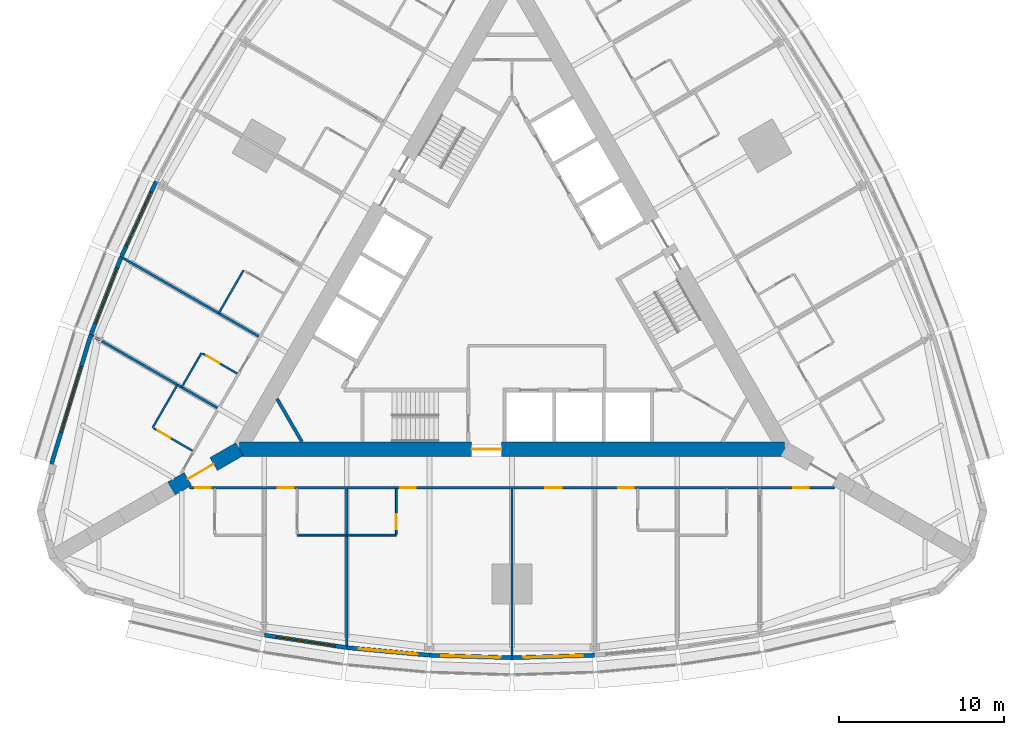
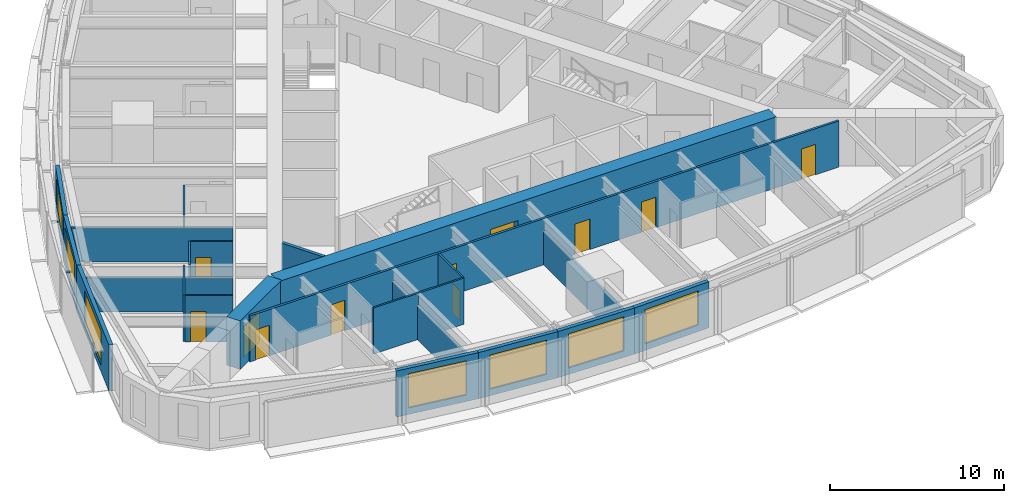
# One storey, part 8 of 14: 23 walls, 11 doors, 7 windows, 18 openings.
"""IFC4 building model written with IfcOpenShell, lengths in metres."""

from ifc_helpers import new_model, si_unit, direction, frame, frame_2d, origin, place, context, subcontext, project, spatial, rectangle, extrude, material, layer, layer_set, type_object, element, fill, save


model = new_model("IFC4")

# Units and contexts
model_context = context("Model", 3, precision=1e-05, world=origin(), true_north=direction((0.0, 1.0)))
body_context = subcontext(model_context, "Body", "Model", "MODEL_VIEW")
ifc_project = project(units=[si_unit("LENGTHUNIT", "METRE"), si_unit("AREAUNIT", "SQUARE_METRE"), si_unit("VOLUMEUNIT", "CUBIC_METRE"), si_unit("PLANEANGLEUNIT", "RADIAN"), si_unit("MASSUNIT", "GRAM", prefix="KILO")], contexts=[model_context])

# Site, building, storey
site_placement = place(None, origin())
site = spatial("IfcSite", under=ifc_project, at=site_placement, CompositionType="ELEMENT")
building_placement = place(site_placement, origin())
building = spatial("IfcBuilding", under=site, at=building_placement, Name="Trikona Tower", CompositionType="ELEMENT")
storey_placement = place(building_placement, frame((0.0, 0.0, 42.10009765625)))
storey = spatial("IfcBuildingStorey", under=building, at=storey_placement, Name="L09", CompositionType="ELEMENT", Elevation=42.10009765625)

# Walls
ifc_material_1 = material(Name="Metal stud and cement board", Category="gypsum")
ifc_layer_1 = layer(ifc_material_1, 0.1201171875)
ifc_layer_set_1 = layer_set([ifc_layer_1], Name="Bathroom wall 120")
wall_type_1 = type_object("IfcWallType", Name="Bathroom wall 120", PredefinedType="PLUMBINGWALL", material=ifc_layer_set_1)
for number, where, z_axis, x_axis, name in (
    (1, (-13.0, -14.726318359375, 0.0), (0.0, 0.0, 1.0), (1.0, 0.0, 0.0), "Bathroom wall 0902"),
    (2, (-10.0, -14.726318359375, 0.0), (0.0, 0.0, 1.0), (1.0, 0.0, 0.0), "Bathroom wall 0903"),
):
    element("IfcWall", number, at=place(storey_placement, frame(where, z_axis=z_axis, x_axis=x_axis)), inside=storey, type_object=wall_type_1, Name=name, PredefinedType="PLUMBINGWALL", context=body_context, shape_type="SweptSolid", body=[
        extrude(rectangle(XDim=3.0, YDim=0.1201171875, at=frame_2d((1.5, 0.0))), origin(), (0.0, 0.0, 1.0), 3.23486328125),
    ])

# Wall, opening, door
wall_1_placement = place(storey_placement, frame((-7.0, -11.92626953125, 0.0), z_axis=(0.0, 0.0, 1.0), x_axis=(0.0, -1.0, 0.0)))
wall_1 = element("IfcWall", 3, at=wall_1_placement, inside=storey, type_object=wall_type_1, Name="Bathroom wall 0903", PredefinedType="PLUMBINGWALL", context=body_context, shape_type="SweptSolid", body=[
    extrude(rectangle(XDim=2.739990234375, YDim=0.1201171875, at=frame_2d((1.3701171875, 0.0))), origin(), (0.0, 0.0, 1.0), 3.23486328125),
])
opening_1_placement = place(wall_1_placement, frame((1.550048828125, 0.0, 0.0)))
opening_1 = element("IfcOpeningElement", 4, at=opening_1_placement, cuts=wall_1, Name="Opening D2", PredefinedType="OPENING", context=body_context, shape_type="SweptSolid", body=[
    extrude(rectangle(XDim=0.89990234375, YDim=2.1298828125, at=frame_2d((0.449951171875, 1.06494140625))), frame((0.0, 0.070068359375, 0.0), z_axis=(0.0, -1.0, 0.0), x_axis=(1.0, 0.0, 0.0)), (0.0, 0.0, 1.0), 0.14013671875),
])
ifc_material_2 = material(Name="Steel door frame with solid-core timber leaf", Category="steel")
door_type_1 = type_object("IfcDoorType", Name="Bathroom door 900x2130", OperationType="SLIDING_TO_LEFT", PredefinedType="DOOR", material=ifc_material_2)
door_1_placement = place(opening_1_placement, origin())
door_1 = element("IfcDoor", 5, at=door_1_placement, inside=storey, type_object=door_type_1, Name="Bathroom door 0903", OperationType="SLIDING_TO_LEFT", OverallHeight=2.1298828125, OverallWidth=0.89990234375, PredefinedType="DOOR", context=body_context, shape_type="SweptSolid", body=[
    extrude(rectangle(XDim=0.89990234375, YDim=2.1298828125, at=frame_2d((0.449951171875, 1.06494140625))), frame((0.0, 0.02490234375, 0.0), z_axis=(0.0, -1.0, 0.0), x_axis=(1.0, 0.0, 0.0)), (0.0, 0.0, 1.0), 0.050048828125),
])
fill(opening_1, door_1)

# Walls
wall_2_placement = place(storey_placement, frame((-16.25341796875, 1.301025390625, 0.0), z_axis=(0.0, 0.0, 1.0), x_axis=(-0.499990139034, -0.866031096941, 0.0)))
element("IfcWall", 6, at=wall_2_placement, inside=storey, type_object=wall_type_1, Name="Bathroom wall 0916.1", PredefinedType="PLUMBINGWALL", context=body_context, shape_type="SweptSolid", body=[
    extrude(rectangle(XDim=3.0, YDim=0.1201171875, at=frame_2d((1.5, 0.0))), origin(), (0.0, 0.0, 1.0), 3.23486328125),
])
wall_3_placement = place(storey_placement, frame((-18.79345703125, -3.69873046875, 0.0), z_axis=(0.0, 0.0, 1.0), x_axis=(-0.500001309137, -0.866024647952, 0.0)))
element("IfcWall", 7, at=wall_3_placement, inside=storey, type_object=wall_type_1, Name="Bathroom wall 0917", PredefinedType="PLUMBINGWALL", context=body_context, shape_type="SweptSolid", body=[
    extrude(rectangle(XDim=2.39990234375, YDim=0.1201171875, at=frame_2d((1.199951171875, 0.0))), origin(), (0.0, 0.0, 1.0), 3.23486328125),
])

# Wall, opening, door
wall_4_placement = place(storey_placement, frame((-16.62841796875, -4.94873046875, 0.0), z_axis=(0.0, 0.0, 1.0), x_axis=(-0.866048967903, 0.499959183527, 0.0)))
wall_4 = element("IfcWall", 8, at=wall_4_placement, inside=storey, type_object=wall_type_1, Name="Bathroom wall 0917", PredefinedType="PLUMBINGWALL", context=body_context, shape_type="SweptSolid", body=[
    extrude(rectangle(XDim=2.440185546875, YDim=0.1201171875, at=frame_2d((1.22021484375, 0.0))), origin(), (0.0, 0.0, 1.0), 3.23486328125),
])
opening_2_placement = place(wall_4_placement, frame((1.25, 0.0, 0.0)))
opening_2 = element("IfcOpeningElement", 9, at=opening_2_placement, cuts=wall_4, Name="Opening D2", PredefinedType="OPENING", context=body_context, shape_type="SweptSolid", body=[
    extrude(rectangle(XDim=0.89990234375, YDim=2.1298828125, at=frame_2d((0.449951171875, 1.06494140625))), frame((0.0, 0.070068359375, 0.0), z_axis=(0.0, -1.0, 0.0), x_axis=(1.0, 0.0, 0.0)), (0.0, 0.0, 1.0), 0.14013671875),
])
door_2_placement = place(opening_2_placement, origin())
door_2 = element("IfcDoor", 10, at=door_2_placement, inside=storey, type_object=door_type_1, Name="Bathroom door 0917", OperationType="SLIDING_TO_LEFT", OverallHeight=2.1298828125, OverallWidth=0.89990234375, PredefinedType="DOOR", context=body_context, shape_type="SweptSolid", body=[
    extrude(rectangle(XDim=0.89990234375, YDim=2.1298828125, at=frame_2d((0.449951171875, 1.06494140625))), frame((0.0, 0.02490234375, 0.0), z_axis=(0.0, -1.0, 0.0), x_axis=(1.0, 0.0, 0.0)), (0.0, 0.0, 1.0), 0.050048828125),
])
fill(opening_2, door_2)

# Wall
wall_5_placement = place(storey_placement, frame((-20.25341796875, -5.627197265625, 0.0), z_axis=(0.0, 0.0, 1.0), x_axis=(-0.499990139034, -0.866031096941, 0.0)))
element("IfcWall", 11, at=wall_5_placement, inside=storey, type_object=wall_type_1, Name="Bathroom wall 0918", PredefinedType="PLUMBINGWALL", context=body_context, shape_type="SweptSolid", body=[
    extrude(rectangle(XDim=3.0, YDim=0.1201171875, at=frame_2d((1.5, 0.0))), origin(), (0.0, 0.0, 1.0), 3.23486328125),
])

# Wall, opening, door
wall_6_placement = place(storey_placement, frame((-19.32861328125, -9.625244140625, 0.0), z_axis=(0.0, 0.0, 1.0), x_axis=(-0.866035715982, 0.499982138324, 0.0)))
wall_6 = element("IfcWall", 12, at=wall_6_placement, inside=storey, type_object=wall_type_1, Name="Bathroom wall 0918", PredefinedType="PLUMBINGWALL", context=body_context, shape_type="SweptSolid", body=[
    extrude(rectangle(XDim=2.73974609375, YDim=0.1201171875, at=frame_2d((1.369873046875, 0.0))), origin(), (0.0, 0.0, 1.0), 3.23486328125),
])
opening_3_placement = place(wall_6_placement, frame((1.550048828125, 0.0, 0.0)))
opening_3 = element("IfcOpeningElement", 13, at=opening_3_placement, cuts=wall_6, Name="Opening D2", PredefinedType="OPENING", context=body_context, shape_type="SweptSolid", body=[
    extrude(rectangle(XDim=0.89990234375, YDim=2.1298828125, at=frame_2d((0.449951171875, 1.06494140625))), frame((0.0, 0.070068359375, 0.0), z_axis=(0.0, -1.0, 0.0), x_axis=(1.0, 0.0, 0.0)), (0.0, 0.0, 1.0), 0.14013671875),
])
door_3_placement = place(opening_3_placement, origin())
door_3 = element("IfcDoor", 14, at=door_3_placement, inside=storey, type_object=door_type_1, Name="Bathroom door 0918", OperationType="SLIDING_TO_LEFT", OverallHeight=2.1298828125, OverallWidth=0.89990234375, PredefinedType="DOOR", context=body_context, shape_type="SweptSolid", body=[
    extrude(rectangle(XDim=0.89990234375, YDim=2.1298828125, at=frame_2d((0.449951171875, 1.06494140625))), frame((0.0, 0.02490234375, 0.0), z_axis=(0.0, -1.0, 0.0), x_axis=(1.0, 0.0, 0.0)), (0.0, 0.0, 1.0), 0.050048828125),
])
fill(opening_3, door_3)

ifc_material_3 = material(Name="Concrete f'c 10000 psi", Category="concrete")
ifc_layer_2 = layer(ifc_material_3, 0.89990234375)
ifc_layer_set_2 = layer_set([ifc_layer_2], Name="Buttress wall 900")
wall_type_2 = type_object("IfcWallType", Name="Buttress wall 900", PredefinedType="SHEAR", material=ifc_layer_set_2)
wall_7_placement = place(storey_placement, frame((-16.5, -9.5263671875, 0.0), z_axis=(0.0, 0.0, 1.0), x_axis=(-0.866031398331, -0.499989616998, 0.0)))
wall_7 = element("IfcWall", 15, at=wall_7_placement, inside=storey, type_object=wall_type_2, Name="Buttress wall 3", PredefinedType="SHEAR", context=body_context, shape_type="SweptSolid", body=[
    extrude(rectangle(XDim=4.74609375, YDim=0.89990234375, at=frame_2d((2.373046875, 0.0))), origin(), (0.0, 0.0, 1.0), 3.39990234375),
])
opening_4_placement = place(wall_7_placement, frame((1.800048828125, 0.0, 0.0)))
opening_4 = element("IfcOpeningElement", 16, at=opening_4_placement, cuts=wall_7, Name="Opening D10", PredefinedType="OPENING", context=body_context, shape_type="SweptSolid", body=[
    extrude(rectangle(XDim=1.800048828125, YDim=2.1298828125, at=frame_2d((0.89990234375, 1.06494140625))), frame((0.0, 0.4599609375, 0.0), z_axis=(0.0, -1.0, 0.0), x_axis=(1.0, 0.0, 0.0)), (0.0, 0.0, 1.0), 0.919921875),
])
ifc_material_4 = material(Name="Hollow metal door and frame", Category="steel")
door_type_2 = type_object("IfcDoorType", Name="Cross-corridor door pair 1800x2130", OperationType="DOUBLE_DOOR_DOUBLE_SWING", PredefinedType="DOOR", material=ifc_material_4)
door_4_placement = place(opening_4_placement, origin())
door_4 = element("IfcDoor", 17, at=door_4_placement, inside=storey, type_object=door_type_2, Name="Cross-corridor door 3", OperationType="DOUBLE_DOOR_DOUBLE_SWING", OverallHeight=2.1298828125, OverallWidth=1.800048828125, PredefinedType="DOOR", context=body_context, shape_type="SweptSolid", body=[
    extrude(rectangle(XDim=1.800048828125, YDim=2.1298828125, at=frame_2d((0.89990234375, 1.06494140625))), frame((0.0, 0.02490234375, 0.0), z_axis=(0.0, -1.0, 0.0), x_axis=(1.0, 0.0, 0.0)), (0.0, 0.0, 1.0), 0.050048828125),
])
fill(opening_4, door_4)

ifc_material_5 = material(Name="Concrete f'c 10000 psi", Category="concrete")
ifc_layer_3 = layer(ifc_material_5, 0.89990234375)
ifc_layer_set_3 = layer_set([ifc_layer_3], Name="Core wall 900")
wall_type_3 = type_object("IfcWallType", Name="Core wall 900", PredefinedType="SHEAR", material=ifc_layer_set_3)
wall_8_placement = place(storey_placement, frame((-16.5, -9.5263671875, 0.0), z_axis=(0.0, 0.0, 1.0), x_axis=(1.0, 0.0, 0.0)))
wall_8 = element("IfcWall", 18, at=wall_8_placement, inside=storey, type_object=wall_type_3, Name="Core wall A", PredefinedType="SHEAR", context=body_context, shape_type="SweptSolid", body=[
    extrude(rectangle(XDim=33.0, YDim=0.89990234375, at=frame_2d((16.5, 0.0))), origin(), (0.0, 0.0, 1.0), 3.39990234375),
])
opening_5_placement = place(wall_8_placement, frame((14.050048828125, 0.0, 0.0)))
opening_5 = element("IfcOpeningElement", 19, at=opening_5_placement, cuts=wall_8, Name="Opening D6", PredefinedType="OPENING", context=body_context, shape_type="SweptSolid", body=[
    extrude(rectangle(XDim=1.800048828125, YDim=2.1298828125, at=frame_2d((0.89990234375, 1.06494140625))), frame((0.0, 0.4599609375, 0.0), z_axis=(0.0, -1.0, 0.0), x_axis=(1.0, 0.0, 0.0)), (0.0, 0.0, 1.0), 0.919921875),
])
ifc_material_6 = material(Name="Hollow metal door and frame", Category="steel")
door_type_3 = type_object("IfcDoorType", Name="Lobby door pair 1800x2130", OperationType="DOUBLE_DOOR_SINGLE_SWING", PredefinedType="DOOR", material=ifc_material_6)
door_5_placement = place(opening_5_placement, origin())
door_5 = element("IfcDoor", 20, at=door_5_placement, inside=storey, type_object=door_type_3, Name="Fire service lift lobby door", OperationType="DOUBLE_DOOR_SINGLE_SWING", OverallHeight=2.1298828125, OverallWidth=1.800048828125, PredefinedType="DOOR", context=body_context, shape_type="SweptSolid", body=[
    extrude(rectangle(XDim=1.800048828125, YDim=2.1298828125, at=frame_2d((0.89990234375, 1.06494140625))), frame((0.0, 0.02490234375, 0.0), z_axis=(0.0, -1.0, 0.0), x_axis=(1.0, 0.0, 0.0)), (0.0, 0.0, 1.0), 0.050048828125),
])
fill(opening_5, door_5)

# Wall, openings, doors
ifc_material_7 = material(Name="Metal stud and gypsum board, 1-hour", Category="gypsum")
ifc_layer_4 = layer(ifc_material_7, 0.14990234375)
ifc_layer_set_4 = layer_set([ifc_layer_4], Name="Corridor wall 150")
wall_type_4 = type_object("IfcWallType", Name="Corridor wall 150", PredefinedType="PARTITIONING", material=ifc_layer_set_4)
wall_9_placement = place(storey_placement, frame((-19.527099609375, -11.851318359375, 0.0), z_axis=(0.0, 0.0, 1.0), x_axis=(1.0, 0.0, 0.0)))
wall_9 = element("IfcWall", 21, at=wall_9_placement, inside=storey, type_object=wall_type_4, Name="Corridor wall L09-1", PredefinedType="PARTITIONING", context=body_context, shape_type="SweptSolid", body=[
    extrude(rectangle(XDim=39.05419921875, YDim=0.14990234375, at=frame_2d((19.527099609375, 0.0))), origin(), (0.0, 0.0, 1.0), 3.23486328125),
])
opening_6_placement = place(wall_9_placement, frame((0.35205078125, 0.0, 0.0)))
opening_6 = element("IfcOpeningElement", 22, at=opening_6_placement, cuts=wall_9, Name="Opening D1", PredefinedType="OPENING", context=body_context, shape_type="SweptSolid", body=[
    extrude(rectangle(XDim=0.949951171875, YDim=2.1298828125, at=frame_2d((0.47509765625, 1.06494140625))), frame((0.0, 0.0849609375, 0.0), z_axis=(0.0, -1.0, 0.0), x_axis=(1.0, 0.0, 0.0)), (0.0, 0.0, 1.0), 0.169921875),
])
opening_7_placement = place(wall_9_placement, frame((5.35205078125, 0.0, 0.0)))
opening_7 = element("IfcOpeningElement", 23, at=opening_7_placement, cuts=wall_9, Name="Opening D1", PredefinedType="OPENING", context=body_context, shape_type="SweptSolid", body=[
    extrude(rectangle(XDim=0.949951171875, YDim=2.1298828125, at=frame_2d((0.47509765625, 1.06494140625))), frame((0.0, 0.0849609375, 0.0), z_axis=(0.0, -1.0, 0.0), x_axis=(1.0, 0.0, 0.0)), (0.0, 0.0, 1.0), 0.169921875),
])
opening_8_placement = place(wall_9_placement, frame((12.751953125, 0.0, 0.0)))
opening_8 = element("IfcOpeningElement", 24, at=opening_8_placement, cuts=wall_9, Name="Opening D1", PredefinedType="OPENING", context=body_context, shape_type="SweptSolid", body=[
    extrude(rectangle(XDim=0.949951171875, YDim=2.1298828125, at=frame_2d((0.47509765625, 1.06494140625))), frame((0.0, 0.0849609375, 0.0), z_axis=(0.0, -1.0, 0.0), x_axis=(1.0, 0.0, 0.0)), (0.0, 0.0, 1.0), 0.169921875),
])
opening_9_placement = place(wall_9_placement, frame((21.527099609375, 0.0, 0.0)))
opening_9 = element("IfcOpeningElement", 25, at=opening_9_placement, cuts=wall_9, Name="Opening D3", PredefinedType="OPENING", context=body_context, shape_type="SweptSolid", body=[
    extrude(rectangle(XDim=1.0, YDim=2.1298828125, at=frame_2d((0.5, 1.06494140625))), frame((0.0, 0.0849609375, 0.0), z_axis=(0.0, -1.0, 0.0), x_axis=(1.0, 0.0, 0.0)), (0.0, 0.0, 1.0), 0.169921875),
])
opening_10_placement = place(wall_9_placement, frame((25.951904296875, 0.0, 0.0)))
opening_10 = element("IfcOpeningElement", 26, at=opening_10_placement, cuts=wall_9, Name="Opening D1", PredefinedType="OPENING", context=body_context, shape_type="SweptSolid", body=[
    extrude(rectangle(XDim=0.949951171875, YDim=2.1298828125, at=frame_2d((0.47509765625, 1.06494140625))), frame((0.0, 0.0849609375, 0.0), z_axis=(0.0, -1.0, 0.0), x_axis=(1.0, 0.0, 0.0)), (0.0, 0.0, 1.0), 0.169921875),
])
opening_11_placement = place(wall_9_placement, frame((36.545654296875, 0.0, 0.0)))
opening_11 = element("IfcOpeningElement", 27, at=opening_11_placement, cuts=wall_9, Name="Opening D1", PredefinedType="OPENING", context=body_context, shape_type="SweptSolid", body=[
    extrude(rectangle(XDim=0.949951171875, YDim=2.1298828125, at=frame_2d((0.47509765625, 1.06494140625))), frame((0.0, 0.0849609375, 0.0), z_axis=(0.0, -1.0, 0.0), x_axis=(1.0, 0.0, 0.0)), (0.0, 0.0, 1.0), 0.169921875),
])
ifc_material_8 = material(Name="Steel door frame with solid-core timber leaf", Category="steel")
door_type_4 = type_object("IfcDoorType", Name="Guest room door 950x2130", OperationType="SINGLE_SWING_LEFT", PredefinedType="DOOR", material=ifc_material_8)
door_6_placement = place(opening_6_placement, origin())
door_6 = element("IfcDoor", 28, at=door_6_placement, inside=storey, type_object=door_type_4, Name="Room door 0901", OperationType="SINGLE_SWING_LEFT", OverallHeight=2.1298828125, OverallWidth=0.949951171875, PredefinedType="DOOR", context=body_context, shape_type="SweptSolid", body=[
    extrude(rectangle(XDim=0.949951171875, YDim=2.1298828125, at=frame_2d((0.47509765625, 1.06494140625))), frame((0.0, 0.02490234375, 0.0), z_axis=(0.0, -1.0, 0.0), x_axis=(1.0, 0.0, 0.0)), (0.0, 0.0, 1.0), 0.050048828125),
])
fill(opening_6, door_6)
door_7_placement = place(opening_7_placement, origin())
door_7 = element("IfcDoor", 29, at=door_7_placement, inside=storey, type_object=door_type_4, Name="Room door 0902", OperationType="SINGLE_SWING_RIGHT", OverallHeight=2.1298828125, OverallWidth=0.949951171875, PredefinedType="DOOR", context=body_context, shape_type="SweptSolid", body=[
    extrude(rectangle(XDim=0.949951171875, YDim=2.1298828125, at=frame_2d((0.47509765625, 1.06494140625))), frame((0.0, 0.02490234375, 0.0), z_axis=(0.0, -1.0, 0.0), x_axis=(1.0, 0.0, 0.0)), (0.0, 0.0, 1.0), 0.050048828125),
])
fill(opening_7, door_7)
door_8_placement = place(opening_8_placement, origin())
door_8 = element("IfcDoor", 30, at=door_8_placement, inside=storey, type_object=door_type_4, Name="Room door 0903", OperationType="SINGLE_SWING_LEFT", OverallHeight=2.1298828125, OverallWidth=0.949951171875, PredefinedType="DOOR", context=body_context, shape_type="SweptSolid", body=[
    extrude(rectangle(XDim=0.949951171875, YDim=2.1298828125, at=frame_2d((0.47509765625, 1.06494140625))), frame((0.0, 0.02490234375, 0.0), z_axis=(0.0, -1.0, 0.0), x_axis=(1.0, 0.0, 0.0)), (0.0, 0.0, 1.0), 0.050048828125),
])
fill(opening_8, door_8)
door_9_placement = place(opening_10_placement, origin())
door_9 = element("IfcDoor", 31, at=door_9_placement, inside=storey, type_object=door_type_4, Name="Room door 0904", OperationType="SINGLE_SWING_LEFT", OverallHeight=2.1298828125, OverallWidth=0.949951171875, PredefinedType="DOOR", context=body_context, shape_type="SweptSolid", body=[
    extrude(rectangle(XDim=0.949951171875, YDim=2.1298828125, at=frame_2d((0.47509765625, 1.06494140625))), frame((0.0, 0.02490234375, 0.0), z_axis=(0.0, -1.0, 0.0), x_axis=(1.0, 0.0, 0.0)), (0.0, 0.0, 1.0), 0.050048828125),
])
fill(opening_10, door_9)
door_10_placement = place(opening_11_placement, origin())
door_10 = element("IfcDoor", 32, at=door_10_placement, inside=storey, type_object=door_type_4, Name="Room door 0905", OperationType="SINGLE_SWING_RIGHT", OverallHeight=2.1298828125, OverallWidth=0.949951171875, PredefinedType="DOOR", context=body_context, shape_type="SweptSolid", body=[
    extrude(rectangle(XDim=0.949951171875, YDim=2.1298828125, at=frame_2d((0.47509765625, 1.06494140625))), frame((0.0, 0.02490234375, 0.0), z_axis=(0.0, -1.0, 0.0), x_axis=(1.0, 0.0, 0.0)), (0.0, 0.0, 1.0), 0.050048828125),
])
fill(opening_11, door_10)
ifc_material_9 = material(Name="Steel door frame with solid-core timber leaf", Category="steel")
door_type_5 = type_object("IfcDoorType", Name="Room door 1000x2130", OperationType="SINGLE_SWING_LEFT", PredefinedType="DOOR", material=ifc_material_9)
door_11_placement = place(opening_9_placement, origin())
door_11 = element("IfcDoor", 33, at=door_11_placement, inside=storey, type_object=door_type_5, Name="Door Housekeeping pantry", OperationType="SINGLE_SWING_RIGHT", OverallHeight=2.1298828125, OverallWidth=1.0, PredefinedType="DOOR", context=body_context, shape_type="SweptSolid", body=[
    extrude(rectangle(XDim=1.0, YDim=2.1298828125, at=frame_2d((0.5, 1.06494140625))), frame((0.0, 0.02490234375, 0.0), z_axis=(0.0, -1.0, 0.0), x_axis=(1.0, 0.0, 0.0)), (0.0, 0.0, 1.0), 0.050048828125),
])
fill(opening_9, door_11)

# Wall, opening, window
ifc_material_10 = material(Name="Insulated precast concrete spandrel panel", Category="concrete")
ifc_layer_5 = layer(ifc_material_10, 0.25)
ifc_layer_set_5 = layer_set([ifc_layer_5], Name="Inner skin wall 250")
wall_type_5 = type_object("IfcWallType", Name="Inner skin wall 250", PredefinedType="STANDARD", material=ifc_layer_set_5)
wall_10_placement = place(storey_placement, frame((-14.981201171875, -20.779296875, 0.0), z_axis=(0.0, 0.0, 1.0), x_axis=(0.988615403399, -0.150464561152, 0.0)))
wall_10 = element("IfcWall", 34, at=wall_10_placement, inside=storey, type_object=wall_type_5, Name="External wall L09-01", PredefinedType="STANDARD", context=body_context, shape_type="SweptSolid", body=[
    extrude(rectangle(XDim=5.0576171875, YDim=0.25, at=frame_2d((2.52880859375, 0.0))), origin(), (0.0, 0.0, 1.0), 3.23486328125),
])
opening_12_placement = place(wall_10_placement, frame((0.728759765625, 0.0, 0.449951171875)))
opening_12 = element("IfcOpeningElement", 35, at=opening_12_placement, cuts=wall_10, Name="Opening W3624", PredefinedType="OPENING", context=body_context, shape_type="SweptSolid", body=[
    extrude(rectangle(XDim=3.60009765625, YDim=2.39990234375, at=frame_2d((1.800048828125, 1.199951171875))), frame((0.0, 0.135009765625, 0.0), z_axis=(0.0, -1.0, 0.0), x_axis=(1.0, 0.0, 0.0)), (0.0, 0.0, 1.0), 0.27001953125),
])
ifc_material_11 = material(Name="Aluminium-framed double glazing", Category="aluminium")
window_type_1 = type_object("IfcWindowType", Name="Window 3600x2400", PartitioningType="SINGLE_PANEL", PredefinedType="WINDOW", material=ifc_material_11)
window_1_placement = place(opening_12_placement, origin())
window_1 = element("IfcWindow", 36, at=window_1_placement, inside=storey, type_object=window_type_1, Name="Window 0902", OverallHeight=2.39990234375, OverallWidth=3.60009765625, PartitioningType="SINGLE_PANEL", PredefinedType="WINDOW", context=body_context, shape_type="SweptSolid", body=[
    extrude(rectangle(XDim=3.60009765625, YDim=2.39990234375, at=frame_2d((1.800048828125, 1.199951171875))), frame((0.0, 0.030029296875, 0.0), z_axis=(0.0, -1.0, 0.0), x_axis=(1.0, 0.0, 0.0)), (0.0, 0.0, 1.0), 0.06005859375),
])
fill(opening_12, window_1)

wall_11_placement = place(storey_placement, frame((-9.988525390625, -21.539306640625, 0.0), z_axis=(0.0, 0.0, 1.0), x_axis=(0.995857256774, -0.090930325692, 0.0)))
wall_11 = element("IfcWall", 37, at=wall_11_placement, inside=storey, type_object=wall_type_5, Name="External wall L09-02", PredefinedType="STANDARD", context=body_context, shape_type="SweptSolid", body=[
    extrude(rectangle(XDim=5.020751953125, YDim=0.25, at=frame_2d((2.51025390625, 0.0))), origin(), (0.0, 0.0, 1.0), 3.23486328125),
])
opening_13_placement = place(wall_11_placement, frame((0.71044921875, 0.0, 0.449951171875)))
opening_13 = element("IfcOpeningElement", 38, at=opening_13_placement, cuts=wall_11, Name="Opening W3624", PredefinedType="OPENING", context=body_context, shape_type="SweptSolid", body=[
    extrude(rectangle(XDim=3.60009765625, YDim=2.39990234375, at=frame_2d((1.800048828125, 1.199951171875))), frame((0.0, 0.135009765625, 0.0), z_axis=(0.0, -1.0, 0.0), x_axis=(1.0, 0.0, 0.0)), (0.0, 0.0, 1.0), 0.27001953125),
])
window_2_placement = place(opening_13_placement, origin())
window_2 = element("IfcWindow", 39, at=window_2_placement, inside=storey, type_object=window_type_1, Name="Window 0903", OverallHeight=2.39990234375, OverallWidth=3.60009765625, PartitioningType="SINGLE_PANEL", PredefinedType="WINDOW", context=body_context, shape_type="SweptSolid", body=[
    extrude(rectangle(XDim=3.60009765625, YDim=2.39990234375, at=frame_2d((1.800048828125, 1.199951171875))), frame((0.0, 0.030029296875, 0.0), z_axis=(0.0, -1.0, 0.0), x_axis=(1.0, 0.0, 0.0)), (0.0, 0.0, 1.0), 0.06005859375),
])
fill(opening_13, window_2)

wall_12_placement = place(storey_placement, frame((-4.99609375, -21.99560546875, 0.0), z_axis=(0.0, 0.0, 1.0), x_axis=(0.999537635046, -0.030405856769, 0.0)))
wall_12 = element("IfcWall", 40, at=wall_12_placement, inside=storey, type_object=wall_type_5, Name="External wall L09-03", PredefinedType="STANDARD", context=body_context, shape_type="SweptSolid", body=[
    extrude(rectangle(XDim=5.002197265625, YDim=0.25, at=frame_2d((2.5009765625, 0.0))), origin(), (0.0, 0.0, 1.0), 3.23486328125),
])
opening_14_placement = place(wall_12_placement, frame((0.701171875, 0.0, 0.449951171875)))
opening_14 = element("IfcOpeningElement", 41, at=opening_14_placement, cuts=wall_12, Name="Opening W3624", PredefinedType="OPENING", context=body_context, shape_type="SweptSolid", body=[
    extrude(rectangle(XDim=3.60009765625, YDim=2.39990234375, at=frame_2d((1.800048828125, 1.199951171875))), frame((0.0, 0.135009765625, 0.0), z_axis=(0.0, -1.0, 0.0), x_axis=(1.0, 0.0, 0.0)), (0.0, 0.0, 1.0), 0.27001953125),
])
window_3_placement = place(opening_14_placement, origin())
window_3 = element("IfcWindow", 42, at=window_3_placement, inside=storey, type_object=window_type_1, Name="Window 0903", OverallHeight=2.39990234375, OverallWidth=3.60009765625, PartitioningType="SINGLE_PANEL", PredefinedType="WINDOW", context=body_context, shape_type="SweptSolid", body=[
    extrude(rectangle(XDim=3.60009765625, YDim=2.39990234375, at=frame_2d((1.800048828125, 1.199951171875))), frame((0.0, 0.030029296875, 0.0), z_axis=(0.0, -1.0, 0.0), x_axis=(1.0, 0.0, 0.0)), (0.0, 0.0, 1.0), 0.06005859375),
])
fill(opening_14, window_3)

wall_13_placement = place(storey_placement, frame((-0.00390625, -22.147705078125, 0.0), z_axis=(0.0, 0.0, 1.0), x_axis=(0.999537635046, 0.030405856769, 0.0)))
wall_13 = element("IfcWall", 43, at=wall_13_placement, inside=storey, type_object=wall_type_5, Name="External wall L09-04", PredefinedType="STANDARD", context=body_context, shape_type="SweptSolid", body=[
    extrude(rectangle(XDim=5.002197265625, YDim=0.25, at=frame_2d((2.5009765625, 0.0))), origin(), (0.0, 0.0, 1.0), 3.23486328125),
])
opening_15_placement = place(wall_13_placement, frame((0.701171875, 0.0, 0.449951171875)))
opening_15 = element("IfcOpeningElement", 44, at=opening_15_placement, cuts=wall_13, Name="Opening W3624", PredefinedType="OPENING", context=body_context, shape_type="SweptSolid", body=[
    extrude(rectangle(XDim=3.60009765625, YDim=2.39990234375, at=frame_2d((1.800048828125, 1.199951171875))), frame((0.0, 0.135009765625, 0.0), z_axis=(0.0, -1.0, 0.0), x_axis=(1.0, 0.0, 0.0)), (0.0, 0.0, 1.0), 0.27001953125),
])
window_4_placement = place(opening_15_placement, origin())
window_4 = element("IfcWindow", 45, at=window_4_placement, inside=storey, type_object=window_type_1, Name="Window L09-HKP", OverallHeight=2.39990234375, OverallWidth=3.60009765625, PartitioningType="SINGLE_PANEL", PredefinedType="WINDOW", context=body_context, shape_type="SweptSolid", body=[
    extrude(rectangle(XDim=3.60009765625, YDim=2.39990234375, at=frame_2d((1.800048828125, 1.199951171875))), frame((0.0, 0.030029296875, 0.0), z_axis=(0.0, -1.0, 0.0), x_axis=(1.0, 0.0, 0.0)), (0.0, 0.0, 1.0), 0.06005859375),
])
fill(opening_15, window_4)

wall_14_placement = place(storey_placement, frame((-21.543212890625, 6.677734375, 0.0), z_axis=(0.0, 0.0, 1.0), x_axis=(-0.419203100754, -0.907892482796, 0.0)))
wall_14 = element("IfcWall", 46, at=wall_14_placement, inside=storey, type_object=wall_type_5, Name="External wall L09-29", PredefinedType="STANDARD", context=body_context, shape_type="SweptSolid", body=[
    extrude(rectangle(XDim=5.020751953125, YDim=0.25, at=frame_2d((2.51025390625, 0.0))), origin(), (0.0, 0.0, 1.0), 3.23486328125),
])
opening_16_placement = place(wall_14_placement, frame((0.71044921875, 0.0, 0.449951171875)))
opening_16 = element("IfcOpeningElement", 47, at=opening_16_placement, cuts=wall_14, Name="Opening W3624", PredefinedType="OPENING", context=body_context, shape_type="SweptSolid", body=[
    extrude(rectangle(XDim=3.60009765625, YDim=2.39990234375, at=frame_2d((1.800048828125, 1.199951171875))), frame((0.0, 0.135009765625, 0.0), z_axis=(0.0, -1.0, 0.0), x_axis=(1.0, 0.0, 0.0)), (0.0, 0.0, 1.0), 0.27001953125),
])
window_5_placement = place(opening_16_placement, origin())
window_5 = element("IfcWindow", 48, at=window_5_placement, inside=storey, type_object=window_type_1, Name="Window 0916.1", OverallHeight=2.39990234375, OverallWidth=3.60009765625, PartitioningType="SINGLE_PANEL", PredefinedType="WINDOW", context=body_context, shape_type="SweptSolid", body=[
    extrude(rectangle(XDim=3.60009765625, YDim=2.39990234375, at=frame_2d((1.800048828125, 1.199951171875))), frame((0.0, 0.030029296875, 0.0), z_axis=(0.0, -1.0, 0.0), x_axis=(1.0, 0.0, 0.0)), (0.0, 0.0, 1.0), 0.06005859375),
])
fill(opening_16, window_5)

wall_15_placement = place(storey_placement, frame((-23.64501953125, 2.126220703125, 0.0), z_axis=(0.0, 0.0, 1.0), x_axis=(-0.364013463868, -0.931393685894, 0.0)))
wall_15 = element("IfcWall", 49, at=wall_15_placement, inside=storey, type_object=wall_type_5, Name="External wall L09-30", PredefinedType="STANDARD", context=body_context, shape_type="SweptSolid", body=[
    extrude(rectangle(XDim=5.0576171875, YDim=0.25, at=frame_2d((2.52880859375, 0.0))), origin(), (0.0, 0.0, 1.0), 3.23486328125),
])
opening_17_placement = place(wall_15_placement, frame((0.728759765625, 0.0, 0.449951171875)))
opening_17 = element("IfcOpeningElement", 50, at=opening_17_placement, cuts=wall_15, Name="Opening W3624", PredefinedType="OPENING", context=body_context, shape_type="SweptSolid", body=[
    extrude(rectangle(XDim=3.60009765625, YDim=2.39990234375, at=frame_2d((1.800048828125, 1.199951171875))), frame((0.0, 0.135009765625, 0.0), z_axis=(0.0, -1.0, 0.0), x_axis=(1.0, 0.0, 0.0)), (0.0, 0.0, 1.0), 0.27001953125),
])
window_6_placement = place(opening_17_placement, origin())
window_6 = element("IfcWindow", 51, at=window_6_placement, inside=storey, type_object=window_type_1, Name="Window 0917", OverallHeight=2.39990234375, OverallWidth=3.60009765625, PartitioningType="SINGLE_PANEL", PredefinedType="WINDOW", context=body_context, shape_type="SweptSolid", body=[
    extrude(rectangle(XDim=3.60009765625, YDim=2.39990234375, at=frame_2d((1.800048828125, 1.199951171875))), frame((0.0, 0.030029296875, 0.0), z_axis=(0.0, -1.0, 0.0), x_axis=(1.0, 0.0, 0.0)), (0.0, 0.0, 1.0), 0.06005859375),
])
fill(opening_17, window_6)

wall_16_placement = place(storey_placement, frame((-25.48291015625, -2.575439453125, 0.0), z_axis=(0.0, 0.0, 1.0), x_axis=(-0.2919790669, -0.956424709265, 0.0)))
wall_16 = element("IfcWall", 52, at=wall_16_placement, inside=storey, type_object=wall_type_5, Name="External wall L09-31", PredefinedType="STANDARD", context=body_context, shape_type="SweptSolid", body=[
    extrude(rectangle(XDim=8.211181640625, YDim=0.25, at=frame_2d((4.10546875, 0.0))), origin(), (0.0, 0.0, 1.0), 3.23486328125),
])
opening_18_placement = place(wall_16_placement, frame((2.005615234375, 0.0, 0.449951171875)))
opening_18 = element("IfcOpeningElement", 53, at=opening_18_placement, cuts=wall_16, Name="Opening W4224", PredefinedType="OPENING", context=body_context, shape_type="SweptSolid", body=[
    extrude(rectangle(XDim=4.199951171875, YDim=2.39990234375, at=frame_2d((2.10009765625, 1.199951171875))), frame((0.0, 0.135009765625, 0.0), z_axis=(0.0, -1.0, 0.0), x_axis=(1.0, 0.0, 0.0)), (0.0, 0.0, 1.0), 0.27001953125),
])
ifc_material_12 = material(Name="Aluminium-framed double glazing", Category="aluminium")
window_type_2 = type_object("IfcWindowType", Name="Window 4200x2400", PartitioningType="SINGLE_PANEL", PredefinedType="WINDOW", material=ifc_material_12)
window_7_placement = place(opening_18_placement, origin())
window_7 = element("IfcWindow", 54, at=window_7_placement, inside=storey, type_object=window_type_2, Name="Window 0918", OverallHeight=2.39990234375, OverallWidth=4.199951171875, PartitioningType="SINGLE_PANEL", PredefinedType="WINDOW", context=body_context, shape_type="SweptSolid", body=[
    extrude(rectangle(XDim=4.199951171875, YDim=2.39990234375, at=frame_2d((2.10009765625, 1.199951171875))), frame((0.0, 0.030029296875, 0.0), z_axis=(0.0, -1.0, 0.0), x_axis=(1.0, 0.0, 0.0)), (0.0, 0.0, 1.0), 0.06005859375),
])
fill(opening_18, window_7)

# Walls
ifc_material_13 = material(Name="Metal stud and gypsum board, 1-hour acoustic", Category="gypsum")
ifc_layer_6 = layer(ifc_material_13, 0.14990234375)
ifc_layer_set_6 = layer_set([ifc_layer_6], Name="Party wall 150")
wall_type_6 = type_object("IfcWallType", Name="Party wall 150", PredefinedType="PARTITIONING", material=ifc_layer_set_6)
wall_17_placement = place(storey_placement, frame((-10.0, -11.92626953125, 0.0), z_axis=(0.0, 0.0, 1.0), x_axis=(0.0, -1.0, 0.0)))
element("IfcWall", 55, at=wall_17_placement, inside=storey, type_object=wall_type_6, Name="Partition L09 F1 u-10", PredefinedType="PARTITIONING", context=body_context, shape_type="SweptSolid", body=[
    extrude(rectangle(XDim=9.484619140625, YDim=0.14990234375, at=frame_2d((4.7421875, 0.0))), origin(), (0.0, 0.0, 1.0), 2.38916015625),
])
wall_18_placement = place(storey_placement, frame((0.0, -11.92626953125, 0.0), z_axis=(0.0, 0.0, 1.0), x_axis=(0.0, -1.0, 0.0)))
element("IfcWall", 56, at=wall_18_placement, inside=storey, type_object=wall_type_6, Name="Partition L09 F1 u-1.03538e-30", PredefinedType="PARTITIONING", context=body_context, shape_type="SweptSolid", body=[
    extrude(rectangle(XDim=10.09619140625, YDim=0.14990234375, at=frame_2d((5.048095703125, 0.0))), origin(), (0.0, 0.0, 1.0), 2.38916015625),
])
wall_19_placement = place(storey_placement, frame((-15.32861328125, -2.697021484375, 0.0), z_axis=(0.0, 0.0, 1.0), x_axis=(-0.866018409083, 0.500012114982, 0.0)))
element("IfcWall", 57, at=wall_19_placement, inside=storey, type_object=wall_type_6, Name="Partition L09 F3 u10", PredefinedType="PARTITIONING", context=body_context, shape_type="SweptSolid", body=[
    extrude(rectangle(XDim=9.484619140625, YDim=0.14990234375, at=frame_2d((4.7421875, 0.0))), origin(), (0.0, 0.0, 1.0), 2.38916015625),
])
wall_20_placement = place(storey_placement, frame((-17.82861328125, -7.027099609375, 0.0), z_axis=(0.0, 0.0, 1.0), x_axis=(-0.866032659912, 0.499987431809, 0.0)))
element("IfcWall", 58, at=wall_20_placement, inside=storey, type_object=wall_type_6, Name="Partition L09 F3 u15", PredefinedType="PARTITIONING", context=body_context, shape_type="SweptSolid", body=[
    extrude(rectangle(XDim=8.719970703125, YDim=0.14990234375, at=frame_2d((4.35986328125, 0.0))), origin(), (0.0, 0.0, 1.0), 2.38916015625),
])
ifc_material_14 = material(Name="Concrete f'c 8000 psi", Category="concrete")
ifc_layer_7 = layer(ifc_material_14, 0.199951171875)
ifc_layer_set_7 = layer_set([ifc_layer_7], Name="Shaft wall 200")
wall_type_7 = type_object("IfcWallType", Name="Shaft wall 200", PredefinedType="SOLIDWALL", material=ifc_layer_set_7)
wall_21_placement = place(storey_placement, frame((-12.718505859375, -9.076416015625, 0.0), z_axis=(0.0, 0.0, 1.0), x_axis=(-0.499952404951, 0.866052881055, 0.0)))
element("IfcWall", 59, at=wall_21_placement, inside=storey, type_object=wall_type_7, Name="Riser wall L09-RS3", PredefinedType="SOLIDWALL", context=body_context, shape_type="SweptSolid", body=[
    extrude(rectangle(XDim=3.002197265625, YDim=0.199951171875, at=frame_2d((1.5009765625, 0.0))), origin(), (0.0, 0.0, 1.0), 3.23486328125),
])

save(model, "model.ifc")
